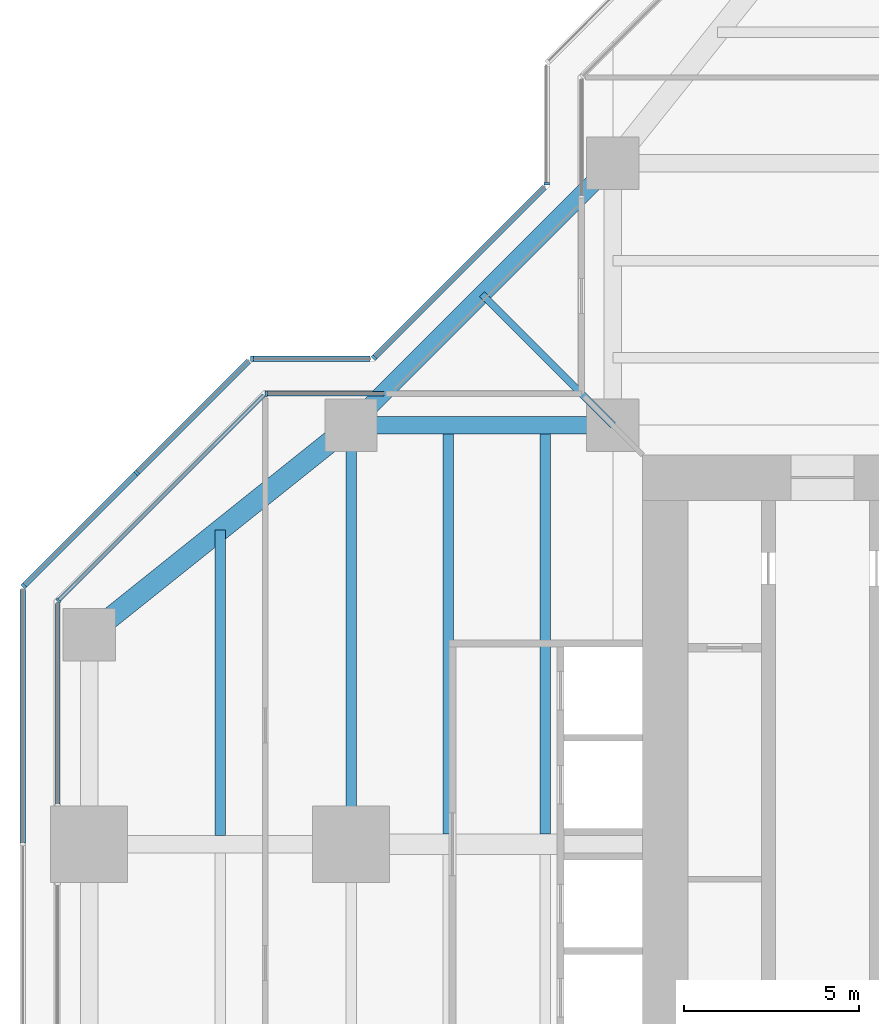
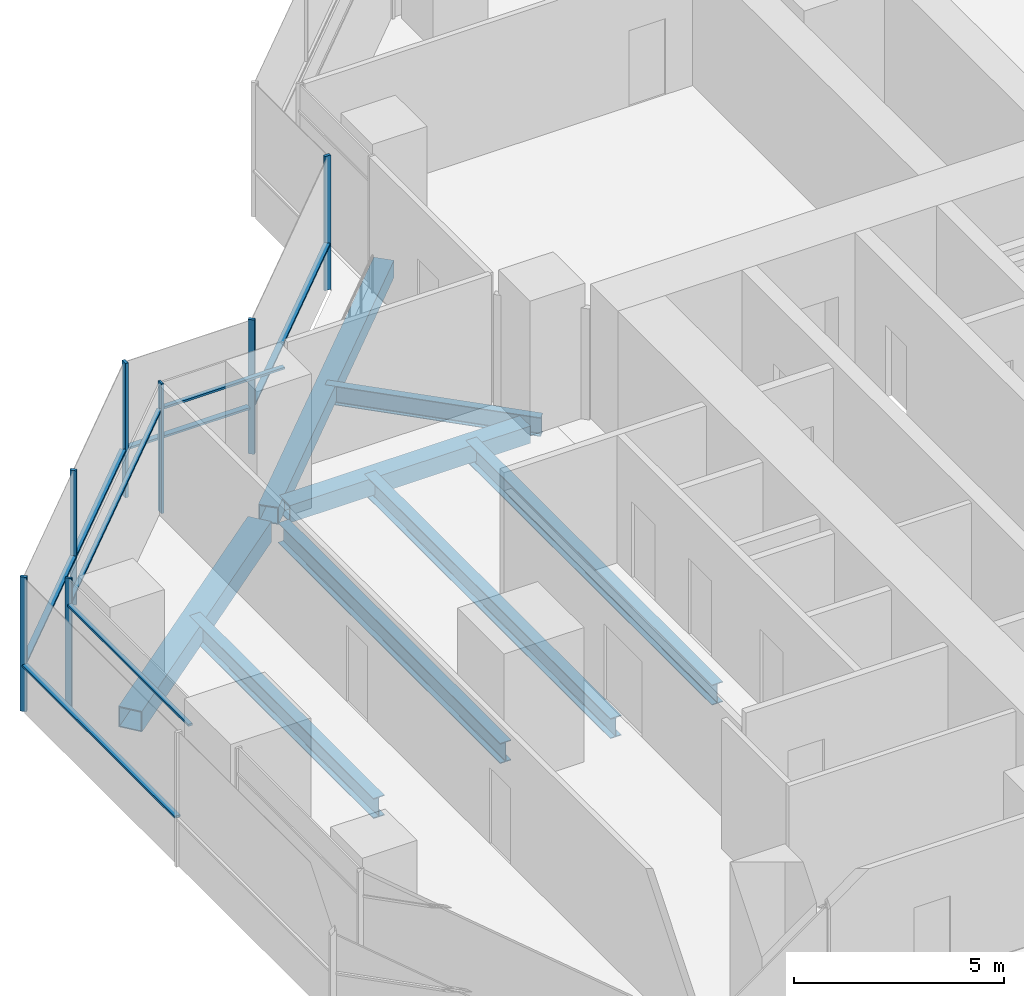
# One storey, part 6 of 17: 15 members, 8 beams, 8 elements without a shape of their own.
"""IFC4 building model written with IfcOpenShell, lengths in metres."""

from ifc_helpers import new_model, si_unit, direction, frame, origin, origin_2d, place, context, subcontext, project, spatial, rectangle, hollow_rectangle, i_section, extrude, material, material_profile, profile_set, type_object, element, aggregate, save


model = new_model("IFC4")

# Units and contexts
model_context = context("Model", 3, precision=1e-05, world=origin(), true_north=direction((0.0, 1.0)))
body_context = subcontext(model_context, "Body", "Model", "MODEL_VIEW")
ifc_project = project(units=[si_unit("LENGTHUNIT", "METRE"), si_unit("AREAUNIT", "SQUARE_METRE"), si_unit("VOLUMEUNIT", "CUBIC_METRE"), si_unit("PLANEANGLEUNIT", "RADIAN"), si_unit("MASSUNIT", "GRAM", prefix="KILO")], contexts=[model_context])

# Site, building, storey
site_placement = place(None, origin())
site = spatial("IfcSite", under=ifc_project, at=site_placement, CompositionType="ELEMENT")
building_placement = place(site_placement, origin())
building = spatial("IfcBuilding", under=site, at=building_placement, Name="Mizan Broadcast Tower", CompositionType="ELEMENT")
storey_placement = place(building_placement, frame((0.0, 0.0, 224.39990234375)))
storey = spatial("IfcBuildingStorey", under=building, at=storey_placement, Name="L52", CompositionType="ELEMENT", Elevation=224.39990234375)

# Beams
ifc_material_1 = material(Name="Steel S355", Category="steel")
ifc_material_profile_1 = material_profile(ifc_material_1, hollow_rectangle(XDim=0.5, YDim=0.5, WallThickness=0.030029296875, at=origin_2d()), Name="BOX 500x500x30")
ifc_profile_set_1 = profile_set([ifc_material_profile_1], Name="Steel S355")
beam_type_1 = type_object("IfcBeamType", Name="EDGE BEAM BOX 500x500x30", PredefinedType="SPANDREL", material=ifc_profile_set_1)
beam_1_placement = place(storey_placement, frame((-12.449951171875, 12.0, -0.3798828125), z_axis=(-1.0, 0.0, 0.0), x_axis=(0.0, -1.0, 0.0)))
element("IfcBeam", 1, at=beam_1_placement, inside=storey, type_object=beam_type_1, Name="Edge beam BOX 500x500x30 L52 west arm", PredefinedType="SPANDREL", context=body_context, shape_type="SweptSolid", body=[
    extrude(hollow_rectangle(XDim=0.5, YDim=0.5, WallThickness=0.030029296875, at=origin_2d()), origin(), (0.0, 0.0, 1.0), 6.60009765625),
])
beam_2_placement = place(storey_placement, frame((-12.0, 19.5, -0.3798828125), z_axis=(-0.707106781187, -0.707106781187, 0.0), x_axis=(0.707106781187, -0.707106781187, 0.0)))
element("IfcBeam", 2, at=beam_2_placement, inside=storey, type_object=beam_type_1, Name="Winter garden edge beam L52 N", PredefinedType="SPANDREL", context=body_context, shape_type="SweptSolid", body=[
    extrude(hollow_rectangle(XDim=0.5, YDim=0.5, WallThickness=0.030029296875, at=origin_2d()), origin(), (0.0, 0.0, 1.0), 10.606689453125),
])
ifc_material_2 = material(Name="Steel S355", Category="steel")
ifc_material_profile_2 = material_profile(ifc_material_2, hollow_rectangle(XDim=0.60009765625, YDim=0.60009765625, WallThickness=0.030029296875, at=origin_2d()), Name="BOX 600x600x30")
ifc_profile_set_2 = profile_set([ifc_material_profile_2], Name="Steel S355")
beam_type_2 = type_object("IfcBeamType", Name="EDGE BEAM BOX 600x600x30", PredefinedType="SPANDREL", material=ifc_profile_set_2)
beam_3_placement = place(storey_placement, frame((-19.949951171875, 11.639892578125, -0.429931640625), z_axis=(-0.780885717636, -0.624673911726, 0.0), x_axis=(0.624673911726, -0.780885717636, 0.0)))
element("IfcBeam", 3, at=beam_3_placement, inside=storey, type_object=beam_type_2, Name="Edge beam BOX 600x600x30 L52 west arm", PredefinedType="SPANDREL", context=body_context, shape_type="SweptSolid", body=[
    extrude(hollow_rectangle(XDim=0.60009765625, YDim=0.60009765625, WallThickness=0.030029296875, at=origin_2d()), origin(), (0.0, 0.0, 1.0), 8.4521484375),
])
ifc_material_3 = material(Name="Steel S355", Category="steel")
ifc_material_profile_3 = material_profile(ifc_material_3, i_section(OverallWidth=0.300048828125, OverallDepth=0.590087890625, WebThickness=0.012939453125, FlangeThickness=0.02490234375, FilletRadius=0.027099609375, at=origin_2d()), Name="HEA 600")
ifc_profile_set_3 = profile_set([ifc_material_profile_3], Name="Steel S355")
beam_type_3 = type_object("IfcBeamType", Name="GIRDER HEA 600", PredefinedType="BEAM", material=ifc_profile_set_3)
beam_4_placement = place(storey_placement, frame((-19.5, 11.280029296875, -0.4248046875), z_axis=(0.0, -1.0, 0.0), x_axis=(1.0, 0.0, 0.0)))
element("IfcBeam", 4, at=beam_4_placement, inside=storey, type_object=beam_type_3, Name="Girder HEA 600 L52 west arm", PredefinedType="BEAM", context=body_context, shape_type="SweptSolid", body=[
    extrude(i_section(OverallWidth=0.300048828125, OverallDepth=0.590087890625, WebThickness=0.012939453125, FlangeThickness=0.02490234375, FilletRadius=0.027099609375, at=origin_2d()), origin(), (0.0, 0.0, 1.0), 10.56005859375),
])

# Curtain wall, member
ifc_material_4 = material(Name="Aluminium framed glazing", Category="aluminium")
curtain_wall_type_1 = type_object("IfcCurtainWallType", Name="INNER SKIN HIGH ZONE", PredefinedType="USERDEFINED", material=ifc_material_4)
curtain_wall_1_placement = place(storey_placement, origin())
curtain_wall_1 = element("IfcCurtainWall", 5, at=curtain_wall_1_placement, inside=storey, type_object=curtain_wall_type_1, Name="Inner skin high zone L52 W side", ObjectType="INNER SKIN HIGH ZONE", PredefinedType="USERDEFINED")
ifc_material_5 = material(Name="Aluminium, pale anodised", Category="aluminium")
ifc_material_profile_4 = material_profile(ifc_material_5, rectangle(XDim=0.159912109375, YDim=0.06005859375, at=origin_2d()), Name="MULLION 160x60")
ifc_profile_set_4 = profile_set([ifc_material_profile_4], Name="Aluminium, pale anodised")
member_type_1 = type_object("IfcMemberType", Name="INNER SKIN MULLION 60x160", PredefinedType="MULLION", material=ifc_profile_set_4)
member_1_placement = place(storey_placement, frame((-21.928466796875, 12.89990234375, 0.0), z_axis=(0.0, 0.0, 1.0), x_axis=(0.0, -1.0, 0.0)))
member_1 = element("IfcMember", 6, at=member_1_placement, type_object=member_type_1, Name="Inner skin high zone L52 W side mullion 2", PredefinedType="MULLION", context=body_context, shape_type="SweptSolid", body=[
    extrude(rectangle(XDim=0.159912109375, YDim=0.06005859375, at=origin_2d()), origin(), (0.0, 0.0, 1.0), 3.77001953125),
])

curtain_wall_2_placement = place(storey_placement, origin())
curtain_wall_2 = element("IfcCurtainWall", 7, at=curtain_wall_2_placement, inside=storey, type_object=curtain_wall_type_1, Name="Inner skin high zone L52 W chamfer", ObjectType="INNER SKIN HIGH ZONE", PredefinedType="USERDEFINED")
member_2_placement = place(storey_placement, frame((-27.87890625, 6.979736328125, 0.0), z_axis=(0.0, 0.0, 1.0), x_axis=(0.707106781187, -0.707106781187, 0.0)))
member_2 = element("IfcMember", 8, at=member_2_placement, type_object=member_type_1, Name="Inner skin high zone L52 W chamfer mullion 2", PredefinedType="MULLION", context=body_context, shape_type="SweptSolid", body=[
    extrude(rectangle(XDim=0.159912109375, YDim=0.06005859375, at=origin_2d()), origin(), (0.0, 0.0, 1.0), 3.77001953125),
])

# Member
ifc_material_6 = material(Name="Aluminium, pale anodised", Category="aluminium")
ifc_material_profile_5 = material_profile(ifc_material_6, rectangle(XDim=0.1201171875, YDim=0.06005859375, at=origin_2d()), Name="TRANSOM 120x60")
ifc_profile_set_5 = profile_set([ifc_material_profile_5], Name="Aluminium, pale anodised")
member_type_2 = type_object("IfcMemberType", Name="INNER SKIN TRANSOM 60x120", PredefinedType="USERDEFINED", material=ifc_profile_set_5)
member_3_placement = place(storey_placement, frame((-18.56005859375, 12.89990234375, 3.030029296875), z_axis=(-1.0, 0.0, 0.0), x_axis=(0.0, -1.0, 0.0)))
member_3 = element("IfcMember", 9, at=member_3_placement, type_object=member_type_2, Name="Inner skin high zone L52 W side transom 1.1", ObjectType="TRANSOM", PredefinedType="USERDEFINED", context=body_context, shape_type="SweptSolid", body=[
    extrude(rectangle(XDim=0.1201171875, YDim=0.06005859375, at=origin_2d()), origin(), (0.0, 0.0, 1.0), 3.338623046875),
])

aggregate(curtain_wall_1, [member_1, member_3])

member_4_placement = place(storey_placement, frame((-22.0009765625, 12.857666015625, 3.030029296875), z_axis=(-0.707106781187, -0.707106781187, 0.0), x_axis=(0.707106781187, -0.707106781187, 0.0)))
member_4 = element("IfcMember", 10, at=member_4_placement, type_object=member_type_2, Name="Inner skin high zone L52 W chamfer transom 1.1", ObjectType="TRANSOM", PredefinedType="USERDEFINED", context=body_context, shape_type="SweptSolid", body=[
    extrude(rectangle(XDim=0.1201171875, YDim=0.06005859375, at=origin_2d()), origin(), (0.0, 0.0, 1.0), 8.28271484375),
])

aggregate(curtain_wall_2, [member_2, member_4])

# Curtain wall, member
curtain_wall_3_placement = place(storey_placement, origin())
curtain_wall_3 = element("IfcCurtainWall", 11, at=curtain_wall_3_placement, inside=storey, type_object=curtain_wall_type_1, Name="Inner skin high zone L52 W end", ObjectType="INNER SKIN HIGH ZONE", PredefinedType="USERDEFINED")
member_5_placement = place(storey_placement, frame((-27.89990234375, 6.898681640625, 3.030029296875), z_axis=(0.0, -1.0, 0.0), x_axis=(1.0, 0.0, 0.0)))
member_5 = element("IfcMember", 12, at=member_5_placement, type_object=member_type_2, Name="Inner skin high zone L52 W end transom 1.1", ObjectType="TRANSOM", PredefinedType="USERDEFINED", context=body_context, shape_type="SweptSolid", body=[
    extrude(rectangle(XDim=0.1201171875, YDim=0.06005859375, at=origin_2d()), origin(), (0.0, 0.0, 1.0), 5.73876953125),
])
aggregate(curtain_wall_3, [member_5])

ifc_material_7 = material(Name="Aluminium framed glazing", Category="aluminium")
curtain_wall_type_2 = type_object("IfcCurtainWallType", Name="OUTER SKIN", PredefinedType="USERDEFINED", material=ifc_material_7)
curtain_wall_4_placement = place(storey_placement, origin())
curtain_wall_4 = element("IfcCurtainWall", 13, at=curtain_wall_4_placement, inside=storey, type_object=curtain_wall_type_2, Name="Outer skin L52 N side", ObjectType="OUTER SKIN", PredefinedType="USERDEFINED")
ifc_material_8 = material(Name="Aluminium, pale anodised", Category="aluminium")
ifc_material_profile_6 = material_profile(ifc_material_8, rectangle(XDim=0.159912109375, YDim=0.080078125, at=origin_2d()), Name="MULLION 160x80")
ifc_profile_set_6 = profile_set([ifc_material_profile_6], Name="Aluminium, pale anodised")
member_type_3 = type_object("IfcMemberType", Name="OUTER SKIN MULLION 80x160", PredefinedType="MULLION", material=ifc_profile_set_6)
member_6_placement = place(storey_placement, frame((-13.89990234375, 18.912841796875, 0.0), z_axis=(0.0, 0.0, 1.0), x_axis=(1.0, 0.0, 0.0)))
member_6 = element("IfcMember", 14, at=member_6_placement, type_object=member_type_3, Name="Outer skin L52 N side mullion 2", PredefinedType="MULLION", context=body_context, shape_type="SweptSolid", body=[
    extrude(rectangle(XDim=0.159912109375, YDim=0.080078125, at=origin_2d()), origin(), (0.0, 0.0, 1.0), 3.900146484375),
])
aggregate(curtain_wall_4, [member_6])

curtain_wall_5_placement = place(storey_placement, origin())
curtain_wall_5 = element("IfcCurtainWall", 15, at=curtain_wall_5_placement, inside=storey, type_object=curtain_wall_type_2, Name="Outer skin L52 W chamfer", ObjectType="OUTER SKIN", PredefinedType="USERDEFINED")
member_7_placement = place(storey_placement, frame((-18.844482421875, 13.92822265625, 0.0), z_axis=(0.0, 0.0, 1.0), x_axis=(0.707106781187, -0.707106781187, 0.0)))
member_7 = element("IfcMember", 16, at=member_7_placement, type_object=member_type_3, Name="Outer skin L52 W chamfer mullion 2", PredefinedType="MULLION", context=body_context, shape_type="SweptSolid", body=[
    extrude(rectangle(XDim=0.159912109375, YDim=0.080078125, at=origin_2d()), origin(), (0.0, 0.0, 1.0), 3.900146484375),
])

curtain_wall_6_placement = place(storey_placement, origin())
curtain_wall_6 = element("IfcCurtainWall", 17, at=curtain_wall_6_placement, inside=storey, type_object=curtain_wall_type_2, Name="Outer skin L52 W side", ObjectType="OUTER SKIN", PredefinedType="USERDEFINED")
member_8_placement = place(storey_placement, frame((-22.332763671875, 13.89990234375, 0.0), z_axis=(0.0, 0.0, 1.0), x_axis=(0.0, -1.0, 0.0)))
member_8 = element("IfcMember", 18, at=member_8_placement, type_object=member_type_3, Name="Outer skin L52 W side mullion 2", PredefinedType="MULLION", context=body_context, shape_type="SweptSolid", body=[
    extrude(rectangle(XDim=0.159912109375, YDim=0.080078125, at=origin_2d()), origin(), (0.0, 0.0, 1.0), 3.900146484375),
])

# Curtain wall, members
curtain_wall_7_placement = place(storey_placement, origin())
curtain_wall_7 = element("IfcCurtainWall", 19, at=curtain_wall_7_placement, inside=storey, type_object=curtain_wall_type_2, Name="Outer skin L52 W chamfer", ObjectType="OUTER SKIN", PredefinedType="USERDEFINED")
member_9_placement = place(storey_placement, frame((-25.636474609375, 10.636474609375, 0.0), z_axis=(0.0, 0.0, 1.0), x_axis=(0.707106781187, -0.707106781187, 0.0)))
member_9 = element("IfcMember", 20, at=member_9_placement, type_object=member_type_3, Name="Outer skin L52 W chamfer mullion 2", PredefinedType="MULLION", context=body_context, shape_type="SweptSolid", body=[
    extrude(rectangle(XDim=0.159912109375, YDim=0.080078125, at=origin_2d()), origin(), (0.0, 0.0, 1.0), 3.900146484375),
])
member_10_placement = place(storey_placement, frame((-28.871826171875, 7.401123046875, 0.0), z_axis=(0.0, 0.0, 1.0), x_axis=(0.707106781187, -0.707106781187, 0.0)))
member_10 = element("IfcMember", 21, at=member_10_placement, type_object=member_type_3, Name="Outer skin L52 W chamfer mullion 3", PredefinedType="MULLION", context=body_context, shape_type="SweptSolid", body=[
    extrude(rectangle(XDim=0.159912109375, YDim=0.080078125, at=origin_2d()), origin(), (0.0, 0.0, 1.0), 3.900146484375),
])

# Member
ifc_material_9 = material(Name="Aluminium, pale anodised", Category="aluminium")
ifc_material_profile_7 = material_profile(ifc_material_9, rectangle(XDim=0.159912109375, YDim=0.06005859375, at=origin_2d()), Name="TRANSOM 160x60")
ifc_profile_set_7 = profile_set([ifc_material_profile_7], Name="Aluminium, pale anodised")
member_type_4 = type_object("IfcMemberType", Name="OUTER SKIN TRANSOM 60x160", PredefinedType="USERDEFINED", material=ifc_profile_set_7)
member_11_placement = place(storey_placement, frame((-13.95654296875, 18.816162109375, 1.400146484375), z_axis=(-0.707106781187, -0.707106781187, 0.0), x_axis=(0.707106781187, -0.707106781187, 0.0)))
member_11 = element("IfcMember", 22, at=member_11_placement, type_object=member_type_4, Name="Outer skin L52 W chamfer transom 1.1", ObjectType="TRANSOM", PredefinedType="USERDEFINED", context=body_context, shape_type="SweptSolid", body=[
    extrude(rectangle(XDim=0.159912109375, YDim=0.06005859375, at=origin_2d()), origin(), (0.0, 0.0, 1.0), 6.87255859375),
])

aggregate(curtain_wall_5, [member_7, member_11])

member_12_placement = place(storey_placement, frame((-18.952880859375, 13.89990234375, 1.400146484375), z_axis=(-1.0, 0.0, 0.0), x_axis=(0.0, -1.0, 0.0)))
member_12 = element("IfcMember", 23, at=member_12_placement, type_object=member_type_4, Name="Outer skin L52 W side transom 1.1", ObjectType="TRANSOM", PredefinedType="USERDEFINED", context=body_context, shape_type="SweptSolid", body=[
    extrude(rectangle(XDim=0.159912109375, YDim=0.06005859375, at=origin_2d()), origin(), (0.0, 0.0, 1.0), 3.33984375),
])

aggregate(curtain_wall_6, [member_8, member_12])

member_13_placement = place(storey_placement, frame((-22.429443359375, 13.843505859375, 1.400146484375), z_axis=(-0.707106781187, -0.707106781187, 0.0), x_axis=(0.707106781187, -0.707106781187, 0.0)))
member_13 = element("IfcMember", 24, at=member_13_placement, type_object=member_type_4, Name="Outer skin L52 W chamfer transom 1.1", ObjectType="TRANSOM", PredefinedType="USERDEFINED", context=body_context, shape_type="SweptSolid", body=[
    extrude(rectangle(XDim=0.159912109375, YDim=0.06005859375, at=origin_2d()), origin(), (0.0, 0.0, 1.0), 4.495361328125),
])

member_14_placement = place(storey_placement, frame((-25.664794921875, 10.608154296875, 1.400146484375), z_axis=(-0.707106781187, -0.707106781187, 0.0), x_axis=(0.707106781187, -0.707106781187, 0.0)))
member_14 = element("IfcMember", 25, at=member_14_placement, type_object=member_type_4, Name="Outer skin L52 W chamfer transom 2.1", ObjectType="TRANSOM", PredefinedType="USERDEFINED", context=body_context, shape_type="SweptSolid", body=[
    extrude(rectangle(XDim=0.159912109375, YDim=0.06005859375, at=origin_2d()), origin(), (0.0, 0.0, 1.0), 4.495361328125),
])

aggregate(curtain_wall_7, [member_9, member_10, member_13, member_14])

# Curtain wall, member
curtain_wall_8_placement = place(storey_placement, origin())
curtain_wall_8 = element("IfcCurtainWall", 26, at=curtain_wall_8_placement, inside=storey, type_object=curtain_wall_type_2, Name="Outer skin L52 W end", ObjectType="OUTER SKIN", PredefinedType="USERDEFINED")
member_15_placement = place(storey_placement, frame((-28.89990234375, 7.292724609375, 1.400146484375), z_axis=(0.0, -1.0, 0.0), x_axis=(1.0, 0.0, 0.0)))
member_15 = element("IfcMember", 27, at=member_15_placement, type_object=member_type_4, Name="Outer skin L52 W end transom 1.1", ObjectType="TRANSOM", PredefinedType="USERDEFINED", context=body_context, shape_type="SweptSolid", body=[
    extrude(rectangle(XDim=0.159912109375, YDim=0.06005859375, at=origin_2d()), origin(), (0.0, 0.0, 1.0), 7.252685546875),
])
aggregate(curtain_wall_8, [member_15])

# Beams
ifc_material_10 = material(Name="Steel S355", Category="steel")
ifc_material_profile_8 = material_profile(ifc_material_10, i_section(OverallWidth=0.300048828125, OverallDepth=0.590087890625, WebThickness=0.012939453125, FlangeThickness=0.02490234375, FilletRadius=0.027099609375, at=origin_2d()), Name="HEA 600")
ifc_profile_set_8 = profile_set([ifc_material_profile_8], Name="Steel S355")
beam_type_4 = type_object("IfcBeamType", Name="SECONDARY BEAM HEA 600", PredefinedType="JOIST", material=ifc_profile_set_8)
for number, where, z_axis, x_axis, name in (
    (28, (-13.933349609375, 12.0, -0.4248046875), (0.0, -1.0, 0.0), (1.0, 0.0, 0.0), "Secondary beam HEA 600 L52 west arm"),
    (29, (-16.716552734375, 12.0, -0.4248046875), (0.0, -1.0, 0.0), (1.0, 0.0, 0.0), "Secondary beam HEA 600 L52 west arm"),
):
    element("IfcBeam", number, at=place(storey_placement, frame(where, z_axis=z_axis, x_axis=x_axis)), inside=storey, type_object=beam_type_4, Name=name, PredefinedType="JOIST", context=body_context, shape_type="SweptSolid", body=[
        extrude(i_section(OverallWidth=0.300048828125, OverallDepth=0.590087890625, WebThickness=0.012939453125, FlangeThickness=0.02490234375, FilletRadius=0.027099609375, at=origin_2d()), origin(), (0.0, 0.0, 1.0), 11.699951171875),
    ])
beam_5_placement = place(storey_placement, frame((-23.25, 9.0, -0.4248046875), z_axis=(0.0, -1.0, 0.0), x_axis=(1.0, 0.0, 0.0)))
element("IfcBeam", 30, at=beam_5_placement, inside=storey, type_object=beam_type_4, Name="Secondary beam HEA 600 L52 west arm", PredefinedType="JOIST", context=body_context, shape_type="SweptSolid", body=[
    extrude(i_section(OverallWidth=0.300048828125, OverallDepth=0.590087890625, WebThickness=0.012939453125, FlangeThickness=0.02490234375, FilletRadius=0.027099609375, at=origin_2d()), origin(), (0.0, 0.0, 1.0), 8.75),
])
ifc_material_11 = material(Name="Steel S355", Category="steel")
ifc_material_profile_9 = material_profile(ifc_material_11, i_section(OverallWidth=0.2099609375, OverallDepth=0.550048828125, WebThickness=0.010986328125, FlangeThickness=0.01708984375, FilletRadius=0.02392578125, at=origin_2d()), Name="IPE 550")
ifc_profile_set_9 = profile_set([ifc_material_profile_9], Name="Steel S355")
beam_type_5 = type_object("IfcBeamType", Name="SECONDARY BEAM IPE 550", PredefinedType="JOIST", material=ifc_profile_set_9)
beam_6_placement = place(storey_placement, frame((-12.0, 12.0, -0.40478515625), z_axis=(-0.707106781187, 0.707106781187, 0.0), x_axis=(-0.707106781187, -0.707106781187, 0.0)))
element("IfcBeam", 31, at=beam_6_placement, inside=storey, type_object=beam_type_5, Name="Winter garden beam L52 N", PredefinedType="JOIST", context=body_context, shape_type="SweptSolid", body=[
    extrude(i_section(OverallWidth=0.2099609375, OverallDepth=0.550048828125, WebThickness=0.010986328125, FlangeThickness=0.01708984375, FilletRadius=0.02392578125, at=origin_2d()), origin(), (0.0, 0.0, 1.0), 5.30322265625),
])

save(model, "model.ifc")
